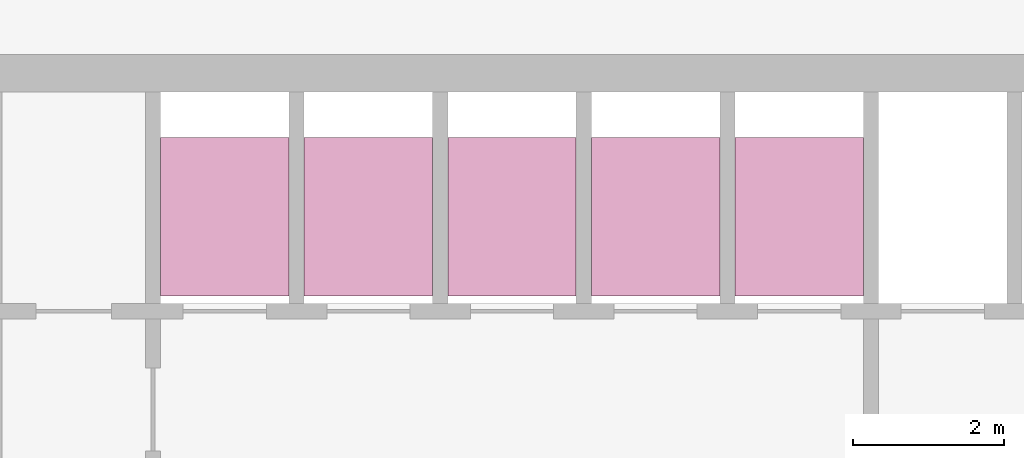
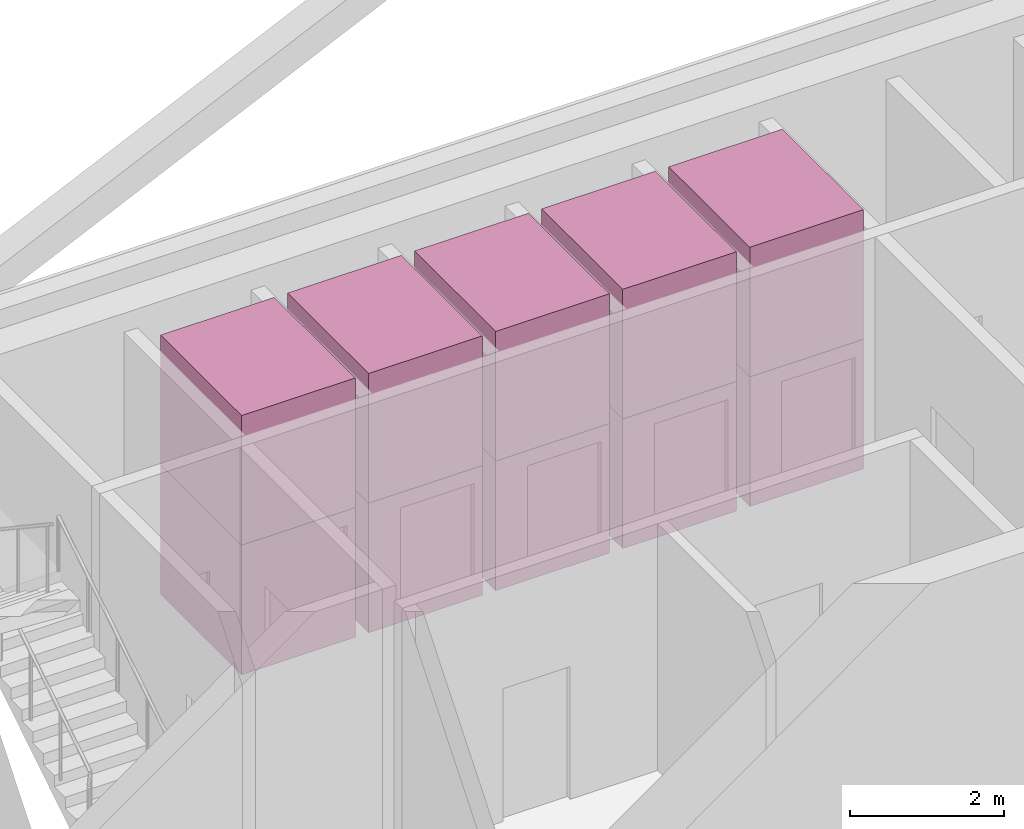
# One storey, part 8 of 8: 10 transport elements.
"""IFC4 building model written with IfcOpenShell, lengths in metres."""

import ifcopenshell
import ifcopenshell.guid

model = None  # the IFC model being written
_history = None  # IfcOwnerHistory: only IFC2X3 demands one
_inside = {}  # id of a spatial element -> (the spatial element, [elements in it])
_under = {}  # id of a project, library or spatial element -> (it, [spatial elements below it])
_declared = {}  # id of a project -> (the project, [libraries it declares])
_typed = {}  # id of a type object -> (the type object, [elements of that type])
_made_of = {}  # id of a material, layer set ... -> (it, [elements and type objects made of it])


def new_model(schema):
    """Start an empty IFC model of exactly this schema.

    Asked for "IFC4X3", IfcOpenShell would pick the latest addendum, in which some entities
    have other attributes; the version numbers below select the first issue.
    IFC2X3 requires an IfcOwnerHistory on every rooted entity: one is made here for all.
    """
    global model, _history
    if schema == "IFC4X3":
        model = ifcopenshell.file(schema_version=(4, 3, 0, 0))
    else:
        model = ifcopenshell.file(schema=schema)
    _inside.clear()
    _under.clear()
    _declared.clear()
    _typed.clear()
    _made_of.clear()
    _history = None
    if model.schema == "IFC2X3":
        org = make("IfcOrganization", Name="unknown")
        user = make(
            "IfcPersonAndOrganization",
            ThePerson=make("IfcPerson", FamilyName="unknown"),
            TheOrganization=org,
        )
        app = make(
            "IfcApplication",
            ApplicationDeveloper=org,
            Version="unknown",
            ApplicationFullName="unknown",
            ApplicationIdentifier="unknown",
        )
        _history = make(
            "IfcOwnerHistory",
            OwningUser=user,
            OwningApplication=app,
            ChangeAction="ADDED",
            CreationDate=0,
        )
    return model


def make(cls, **values):
    """One entity of the class cls with the attributes given. An attribute that is None is left unset."""
    return model.create_entity(
        cls, **{name: value for name, value in values.items() if value is not None}
    )


def rooted(cls, **values):
    """An entity with a GlobalId (a new one), such as an element, a storey or a relation."""
    return make(cls, GlobalId=ifcopenshell.guid.new(), OwnerHistory=_history, **values)


def si_unit(unit_type, name, prefix=None):
    """IfcSIUnit, for example si_unit("LENGTHUNIT", "METRE", prefix="MILLI")."""
    return make("IfcSIUnit", UnitType=unit_type, Prefix=prefix, Name=name)


def assignment(units):
    """IfcUnitAssignment: the units of a project."""
    return None if units is None else make("IfcUnitAssignment", Units=units)


def point(xyz):
    """IfcCartesianPoint."""
    return None if xyz is None else make("IfcCartesianPoint", Coordinates=xyz)


def direction(xyz):
    """IfcDirection."""
    return None if xyz is None else make("IfcDirection", DirectionRatios=xyz)


def frame(location, z_axis=None, x_axis=None):
    """IfcAxis2Placement3D, a coordinate frame: its origin and axes. An axis left out is left unset."""
    return make(
        "IfcAxis2Placement3D",
        Location=point(location),
        Axis=direction(z_axis),
        RefDirection=direction(x_axis),
    )


def frame_2d(location, x_axis=None):
    """IfcAxis2Placement2D, a coordinate frame in the plane: its origin and x axis."""
    return make(
        "IfcAxis2Placement2D", Location=point(location), RefDirection=direction(x_axis)
    )


def origin():
    """The frame at (0, 0, 0) with its axes left unset."""
    return frame((0.0, 0.0, 0.0))


def origin_2d():
    """The frame at (0, 0) in the plane with its x axis left unset."""
    return frame_2d((0.0, 0.0))


def place(relative_to, where):
    """IfcLocalPlacement: puts the frame where relative to a parent placement (None: the world)."""
    return make(
        "IfcLocalPlacement", PlacementRelTo=relative_to, RelativePlacement=where
    )


def context(
    kind, dimensions, precision=None, world=None, true_north=None, identifier=None
):
    """IfcGeometricRepresentationContext, for example the 3D "Model" context."""
    return make(
        "IfcGeometricRepresentationContext",
        ContextIdentifier=identifier,
        ContextType=kind,
        CoordinateSpaceDimension=dimensions,
        Precision=precision,
        WorldCoordinateSystem=world,
        TrueNorth=true_north,
    )


def subcontext(parent, identifier, kind, view, scale=None):
    """IfcGeometricRepresentationSubContext, for example "Body" below "Model"."""
    return make(
        "IfcGeometricRepresentationSubContext",
        ContextIdentifier=identifier,
        ContextType=kind,
        ParentContext=parent,
        TargetScale=scale,
        TargetView=view,
    )


def project(units=None, contexts=None):
    """IfcProject with its units and contexts."""
    return rooted(
        "IfcProject",
        Name="project",
        RepresentationContexts=contexts,
        UnitsInContext=assignment(units),
    )


def spatial(cls, under=None, at=None, **own):
    """A site, building, storey or space (cls), placed at a placement, below another one or the project."""
    s = rooted(cls, ObjectPlacement=at, **own)
    if under is not None:
        _under.setdefault(under.id(), (under, []))[1].append(s)
    return s


def profile(cls, at=None, kind="AREA", **sizes):
    """A parametric profile (cls). Its sizes go by their IFC names, for example OverallWidth=200.0."""
    return make(cls, ProfileType=kind, Position=at, **sizes)


def rectangle(**sizes):
    """IfcRectangleProfileDef."""
    return profile("IfcRectangleProfileDef", **sizes)


def extrude(swept, where, along, depth):
    """IfcExtrudedAreaSolid: the profile swept, set in the frame where, extruded along a direction by depth."""
    return make(
        "IfcExtrudedAreaSolid",
        SweptArea=swept,
        Position=where,
        ExtrudedDirection=direction(along),
        Depth=depth,
    )


def shape(context_of_items, identifier, shape_type, items):
    """IfcShapeRepresentation: the items that make up one representation, for example the "Body"."""
    return make(
        "IfcShapeRepresentation",
        ContextOfItems=context_of_items,
        RepresentationIdentifier=identifier,
        RepresentationType=shape_type,
        Items=items,
    )


def material(Name=None, Category=None):
    """IfcMaterial."""
    return make("IfcMaterial", Name=Name, Category=Category)


def made_of(thing, what):
    """Note that an element or type object is made of a material, layer set ...; save() writes the relation."""
    if what is not None:
        _made_of.setdefault(what.id(), (what, []))[1].append(thing)
    return thing


def type_object(cls, material=None, **own):
    """A type object (cls), such as IfcWallType, which elements share."""
    return made_of(rooted(cls, **own), material)


def element(
    cls,
    number,
    at=None,
    inside=None,
    cuts=None,
    type_object=None,
    material=None,
    context=None,
    identifier="Body",
    shape_type=None,
    held_by="IfcProductDefinitionShape",
    body=None,
    shapes=None,
    **own,
):
    """One element of the class cls, such as IfcWall. Its Tag is "e" and its number.

    at: its placement. inside: the storey or other place that contains it. cuts: it is an
    opening in that element (IfcRelVoidsElement). A single representation is given by context,
    identifier, shape_type and body (its items); several are given by shapes. held_by: the class
    of the entity that holds the representations. save() writes the other relations.
    """
    e = rooted(cls, Tag="e%d" % number, ObjectPlacement=at, **own)
    if body is not None:
        shapes = [shape(context, identifier, shape_type, body)]
    if shapes is not None:
        e.Representation = make(held_by, Representations=shapes)
    if inside is not None:
        _inside.setdefault(inside.id(), (inside, []))[1].append(e)
    if cuts is not None:
        rooted(
            "IfcRelVoidsElement", RelatingBuildingElement=cuts, RelatedOpeningElement=e
        )
    if type_object is not None:
        _typed.setdefault(type_object.id(), (type_object, []))[1].append(e)
    return made_of(e, material)


def aggregate(whole, parts):
    """IfcRelAggregates: a whole, such as a stair, and the parts it consists of."""
    return rooted("IfcRelAggregates", RelatingObject=whole, RelatedObjects=parts)


def save(model, path):
    """Write the relations noted so far, then the file.

    IfcRelAggregates (storeys below a building ...), IfcRelContainedInSpatialStructure (elements
    in a storey), IfcRelDefinesByType, IfcRelAssociatesMaterial and IfcRelDeclares: one each for
    every whole, place, type object, material and project.
    """
    for whole, parts in _under.values():
        aggregate(whole, parts)
    for where, things in _inside.values():
        rooted(
            "IfcRelContainedInSpatialStructure",
            RelatedElements=things,
            RelatingStructure=where,
        )
    for kind, things in _typed.values():
        rooted("IfcRelDefinesByType", RelatedObjects=things, RelatingType=kind)
    for what, things in _made_of.values():
        rooted("IfcRelAssociatesMaterial", RelatedObjects=things, RelatingMaterial=what)
    for by, libraries in _declared.values():
        rooted("IfcRelDeclares", RelatingContext=by, RelatedDefinitions=libraries)
    model.write(path)


model = new_model("IFC4")

# Units and contexts
model_context = context("Model", 3, precision=1e-05, world=origin(), true_north=direction((0.0, 1.0)))
body_context = subcontext(model_context, "Body", "Model", "MODEL_VIEW")
ifc_project = project(units=[si_unit("LENGTHUNIT", "METRE"), si_unit("AREAUNIT", "SQUARE_METRE"), si_unit("VOLUMEUNIT", "CUBIC_METRE"), si_unit("PLANEANGLEUNIT", "RADIAN"), si_unit("MASSUNIT", "GRAM", prefix="KILO")], contexts=[model_context])

# Site, building, storey
site_placement = place(None, origin())
site = spatial("IfcSite", under=ifc_project, at=site_placement, CompositionType="ELEMENT")
building_placement = place(site_placement, origin())
building = spatial("IfcBuilding", under=site, at=building_placement, Name="Altiplano Prism Tower", CompositionType="ELEMENT")
storey_placement = place(building_placement, frame((0.0, 0.0, 334.60009765625)))
storey = spatial("IfcBuildingStorey", under=building, at=storey_placement, Name="L87", CompositionType="ELEMENT", Elevation=334.60009765625)

# Transport elements
ifc_material = material(Name="Stainless steel lift car", Category="steel")
transport_element_type = type_object("IfcTransportElementType", Name="Passenger lift car 1600 x 2100", PredefinedType="ELEVATOR", material=ifc_material)
for number, where, z_axis, x_axis, name in (
    (1, (79.050048828125, 101.75, 0.0498046875), (0.0, 0.0, 1.0), (1.0, 0.0, 0.0), "High Zone Passenger Lift 1"),
    (2, (79.050048828125, 101.75, 2.10009765625), (0.0, 0.0, 1.0), (1.0, 0.0, 0.0), "High Zone Passenger Lift 1"),
    (3, (80.949951171875, 101.75, 0.0498046875), (0.0, 0.0, 1.0), (1.0, 0.0, 0.0), "High Zone Passenger Lift 2"),
    (4, (80.949951171875, 101.75, 2.10009765625), (0.0, 0.0, 1.0), (1.0, 0.0, 0.0), "High Zone Passenger Lift 2"),
    (5, (82.85009765625, 101.75, 0.0498046875), (0.0, 0.0, 1.0), (1.0, 0.0, 0.0), "High Zone Passenger Lift 3"),
    (6, (82.85009765625, 101.75, 2.10009765625), (0.0, 0.0, 1.0), (1.0, 0.0, 0.0), "High Zone Passenger Lift 3"),
    (7, (84.75, 101.75, 0.0498046875), (0.0, 0.0, 1.0), (1.0, 0.0, 0.0), "High Zone Passenger Lift 4"),
    (8, (84.75, 101.75, 2.10009765625), (0.0, 0.0, 1.0), (1.0, 0.0, 0.0), "High Zone Passenger Lift 4"),
    (9, (86.64990234375, 101.75, 0.0498046875), (0.0, 0.0, 1.0), (1.0, 0.0, 0.0), "High Zone Passenger Lift 5"),
    (10, (86.64990234375, 101.75, 2.10009765625), (0.0, 0.0, 1.0), (1.0, 0.0, 0.0), "High Zone Passenger Lift 5"),
):
    element("IfcTransportElement", number, at=place(storey_placement, frame(where, z_axis=z_axis, x_axis=x_axis)), inside=storey, type_object=transport_element_type, Name=name, PredefinedType="ELEVATOR", context=body_context, shape_type="SweptSolid", body=[
        extrude(rectangle(XDim=1.699951171875, YDim=2.10009765625, at=origin_2d()), origin(), (0.0, 0.0, 1.0), 2.050048828125),
    ])

save(model, "model.ifc")
